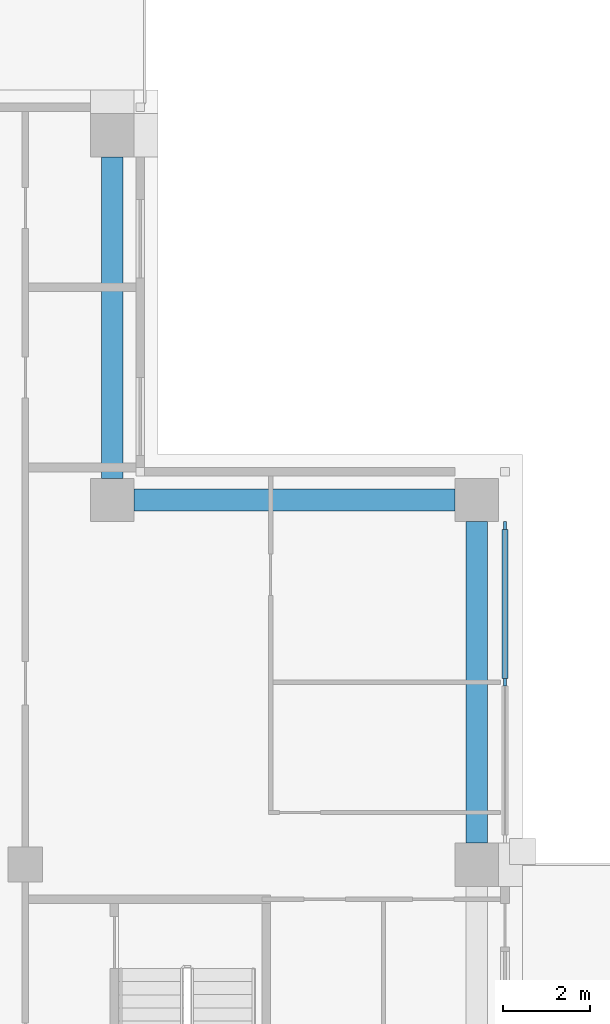
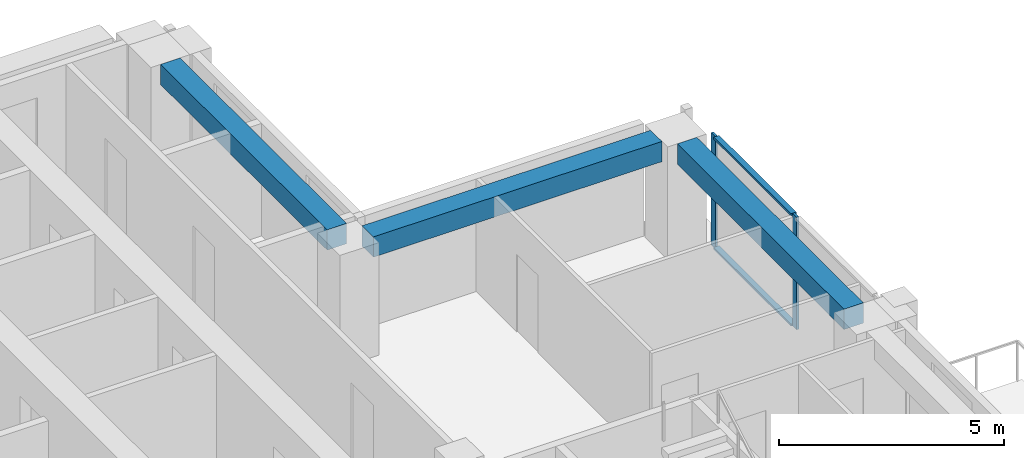
# One storey, part 6 of 17: 4 members, 3 beams, 1 element without a shape of its own.
"""IFC4 building model written with IfcOpenShell, lengths in metres."""

from ifc_helpers import new_model, si_unit, direction, frame, origin, origin_2d, place, context, subcontext, project, spatial, rectangle, extrude, material, material_profile, profile_set, type_object, element, aggregate, save


model = new_model("IFC4")

# Units and contexts
model_context = context("Model", 3, precision=1e-05, world=origin(), true_north=direction((0.0, 1.0)))
body_context = subcontext(model_context, "Body", "Model", "MODEL_VIEW")
ifc_project = project(units=[si_unit("LENGTHUNIT", "METRE"), si_unit("AREAUNIT", "SQUARE_METRE"), si_unit("VOLUMEUNIT", "CUBIC_METRE"), si_unit("PLANEANGLEUNIT", "RADIAN"), si_unit("MASSUNIT", "GRAM", prefix="KILO")], contexts=[model_context])

# Site, building, storey
site_placement = place(None, origin())
site = spatial("IfcSite", under=ifc_project, at=site_placement, CompositionType="ELEMENT")
building_placement = place(site_placement, origin())
building = spatial("IfcBuilding", under=site, at=building_placement, Name="Vermilion Ogive Tower", CompositionType="ELEMENT")
storey_placement = place(building_placement, frame((0.0, 0.0, 203.14990234375)))
storey = spatial("IfcBuildingStorey", under=building, at=storey_placement, Name="L53", CompositionType="ELEMENT", Elevation=203.14990234375)

# Curtain wall, members
ifc_material_1 = material(Name="Low-iron laminated glazing in aluminium frame", Category="aluminium")
curtain_wall_type = type_object("IfcCurtainWallType", Name="Curtain wall CW7", PredefinedType="NOTDEFINED", material=ifc_material_1)
curtain_wall_placement = place(storey_placement, origin())
curtain_wall = element("IfcCurtainWall", 1, at=curtain_wall_placement, inside=storey, type_object=curtain_wall_type, Name="Glazed skin E3", PredefinedType="NOTDEFINED")
ifc_material_2 = material(Name="Aluminium mullion", Category="aluminium")
ifc_material_profile_1 = material_profile(ifc_material_2, rectangle(XDim=0.06005859375, YDim=0.179931640625, at=origin_2d()), Name="AL 60x180")
ifc_profile_set_1 = profile_set([ifc_material_profile_1], Name="Aluminium mullion")
member_type_1 = type_object("IfcMemberType", Name="CW7 mullion 60x180", PredefinedType="MULLION", material=ifc_profile_set_1)
member_1_placement = place(storey_placement, frame((25.85009765625, 8.39990234375, 0.0), z_axis=(0.0, 0.0, 1.0), x_axis=(-1.0, 0.0, 0.0)))
member_1 = element("IfcMember", 2, at=member_1_placement, type_object=member_type_1, Name="CW7-E3 mullion 2", PredefinedType="MULLION", context=body_context, shape_type="SweptSolid", body=[
    extrude(rectangle(XDim=0.06005859375, YDim=0.179931640625, at=origin_2d()), origin(), (0.0, 0.0, 1.0), 3.050048828125),
])
member_2_placement = place(storey_placement, frame((25.85009765625, 12.010009765625, 0.0), z_axis=(0.0, 0.0, 1.0), x_axis=(-1.0, 0.0, 0.0)))
member_2 = element("IfcMember", 3, at=member_2_placement, type_object=member_type_1, Name="CW7-E3 mullion 3", PredefinedType="MULLION", context=body_context, shape_type="SweptSolid", body=[
    extrude(rectangle(XDim=0.06005859375, YDim=0.179931640625, at=origin_2d()), origin(), (0.0, 0.0, 1.0), 3.050048828125),
])
ifc_material_3 = material(Name="Aluminium transom", Category="aluminium")
ifc_material_profile_2 = material_profile(ifc_material_3, rectangle(XDim=0.139892578125, YDim=0.06005859375, at=origin_2d()), Name="AL 60x140")
ifc_profile_set_2 = profile_set([ifc_material_profile_2], Name="Aluminium transom")
member_type_2 = type_object("IfcMemberType", Name="CW7 transom 60x140", PredefinedType="USERDEFINED", material=ifc_profile_set_2)
member_3_placement = place(storey_placement, frame((25.85009765625, 8.489990234375, 0.030029296875), z_axis=(0.0, 1.0, 0.0), x_axis=(-1.0, 0.0, 0.0)))
member_3 = element("IfcMember", 4, at=member_3_placement, type_object=member_type_2, Name="CW7-E3 transom 2.1", ObjectType="TRANSOM", PredefinedType="USERDEFINED", context=body_context, shape_type="SweptSolid", body=[
    extrude(rectangle(XDim=0.139892578125, YDim=0.06005859375, at=origin_2d()), origin(), (0.0, 0.0, 1.0), 3.429931640625),
])
member_4_placement = place(storey_placement, frame((25.85009765625, 8.489990234375, 3.02001953125), z_axis=(0.0, 1.0, 0.0), x_axis=(-1.0, 0.0, 0.0)))
member_4 = element("IfcMember", 5, at=member_4_placement, type_object=member_type_2, Name="CW7-E3 transom 2.2", ObjectType="TRANSOM", PredefinedType="USERDEFINED", context=body_context, shape_type="SweptSolid", body=[
    extrude(rectangle(XDim=0.139892578125, YDim=0.06005859375, at=origin_2d()), origin(), (0.0, 0.0, 1.0), 3.429931640625),
])
aggregate(curtain_wall, [member_1, member_2, member_3, member_4])

# Beams
ifc_material_4 = material(Name="Concrete B45", Category="concrete")
ifc_material_profile_3 = material_profile(ifc_material_4, rectangle(XDim=0.5, YDim=0.550048828125, at=origin_2d()), Name="500 x 550")
ifc_profile_set_3 = profile_set([ifc_material_profile_3], Name="Concrete B45")
beam_type = type_object("IfcBeamType", Name="Edge beam 500 x 550 B45", PredefinedType="BEAM", material=ifc_profile_set_3)
beam_placement = place(storey_placement, frame((25.199951171875, 4.699951171875, 2.775146484375), z_axis=(0.0, 1.0, 0.0), x_axis=(-1.0, 0.0, 0.0)))
element("IfcBeam", 6, at=beam_placement, inside=storey, type_object=beam_type, Name="L53-EB-9", PredefinedType="BEAM", context=body_context, shape_type="SweptSolid", body=[
    extrude(rectangle(XDim=0.5, YDim=0.550048828125, at=origin_2d()), origin(), (0.0, 0.0, 1.0), 7.400146484375),
])
for number, where, z_axis, x_axis, name in (
    (7, (24.699951171875, 12.60009765625, 2.775146484375), (-1.0, 0.0, 0.0), (0.0, -1.0, 0.0), "L53-EB-10"),
    (8, (16.800048828125, 13.10009765625, 2.775146484375), (0.0, 1.0, 0.0), (-1.0, 0.0, 0.0), "L53-EB-11"),
):
    element("IfcBeam", number, at=place(storey_placement, frame(where, z_axis=z_axis, x_axis=x_axis)), inside=storey, type_object=beam_type, Name=name, PredefinedType="BEAM", context=body_context, shape_type="SweptSolid", body=[
        extrude(rectangle(XDim=0.5, YDim=0.550048828125, at=origin_2d()), origin(), (0.0, 0.0, 1.0), 7.39990234375),
    ])

save(model, "model.ifc")
